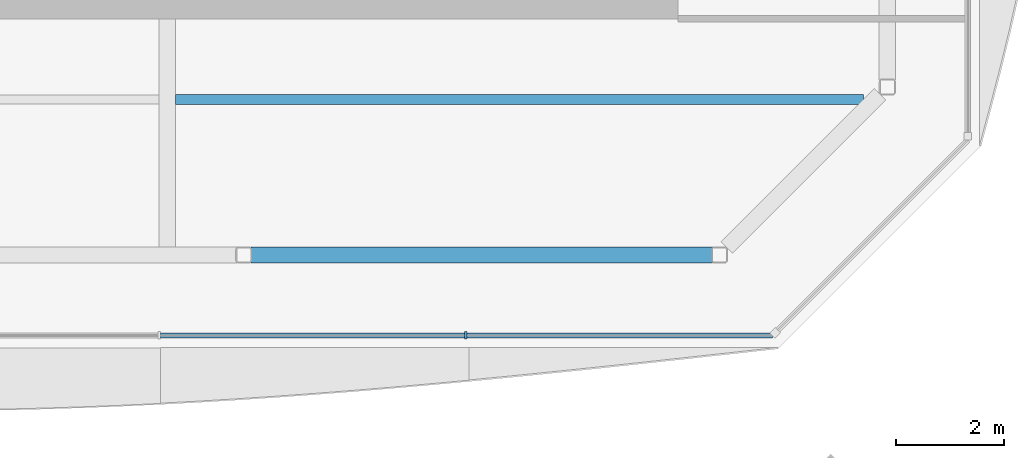
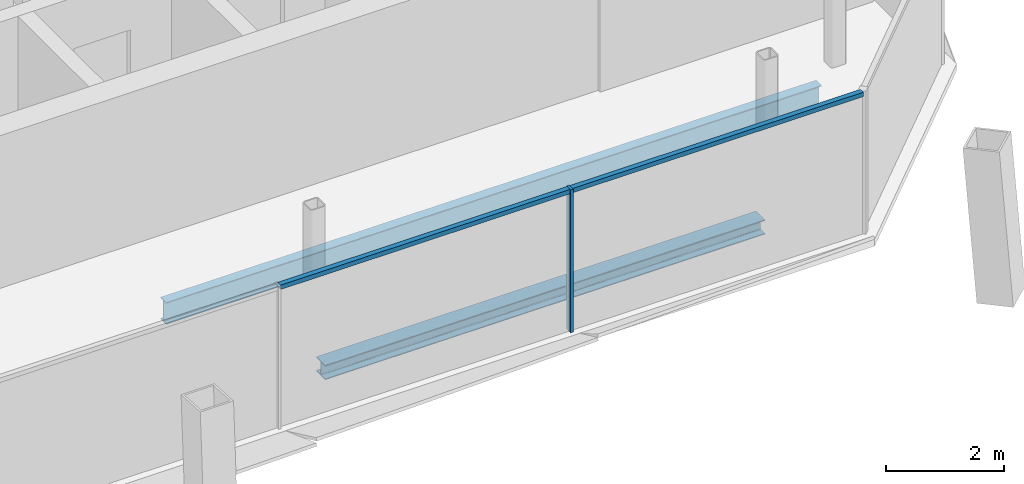
# One storey, part 4 of 15: 3 members, 2 beams, 1 element without a shape of its own.
"""IFC4 building model written with IfcOpenShell, lengths in metres."""

from ifc_helpers import new_model, si_unit, direction, frame, origin, origin_2d, place, context, subcontext, project, spatial, rectangle, i_section, extrude, material, material_profile, profile_set, type_object, element, aggregate, save


model = new_model("IFC4")

# Units and contexts
model_context = context("Model", 3, precision=1e-05, world=origin(), true_north=direction((0.0, 1.0)))
body_context = subcontext(model_context, "Body", "Model", "MODEL_VIEW")
ifc_project = project(units=[si_unit("LENGTHUNIT", "METRE"), si_unit("AREAUNIT", "SQUARE_METRE"), si_unit("VOLUMEUNIT", "CUBIC_METRE"), si_unit("PLANEANGLEUNIT", "RADIAN"), si_unit("MASSUNIT", "GRAM", prefix="KILO")], contexts=[model_context])

# Site, building, storey
site_placement = place(None, origin())
site = spatial("IfcSite", under=ifc_project, at=site_placement, CompositionType="ELEMENT")
building_placement = place(site_placement, origin())
building = spatial("IfcBuilding", under=site, at=building_placement, Name="Tskaro Facet Tower", CompositionType="ELEMENT")
storey_placement = place(building_placement, frame((0.0, 0.0, 242.39990234375)))
storey = spatial("IfcBuildingStorey", under=building, at=storey_placement, Name="L63", CompositionType="ELEMENT", Elevation=242.39990234375)

# Curtain wall, members
ifc_material_1 = material(Name="Bronze anodised aluminium 6063-T6", Category="aluminium")
curtain_wall_type = type_object("IfcCurtainWallType", Name="Bronze residence curtain wall (FW3)", PredefinedType="NOTDEFINED", material=ifc_material_1)
curtain_wall_placement = place(storey_placement, origin())
curtain_wall = element("IfcCurtainWall", 1, at=curtain_wall_placement, inside=storey, type_object=curtain_wall_type, Name="FW3 south facet L63", PredefinedType="NOTDEFINED")
ifc_material_profile_1 = material_profile(ifc_material_1, rectangle(XDim=0.050048828125, YDim=0.139892578125, at=origin_2d()), Name="Mullion 50x140")
ifc_profile_set_1 = profile_set([ifc_material_profile_1], Name="Bronze anodised aluminium 6063-T6")
member_type_1 = type_object("IfcMemberType", Name="FW3 bronze mullion 50x140", PredefinedType="MULLION", material=ifc_profile_set_1)
member_1_placement = place(storey_placement, frame((5.5517578125, -17.888916015625, 0.0), z_axis=(0.0, 0.0, 1.0), x_axis=(1.0, 0.0, 0.0)))
member_1 = element("IfcMember", 2, at=member_1_placement, type_object=member_type_1, Name="FW3 south mullion 4", PredefinedType="MULLION", context=body_context, shape_type="SweptSolid", body=[
    extrude(rectangle(XDim=0.050048828125, YDim=0.139892578125, at=origin_2d()), origin(), (0.0, 0.0, 1.0), 2.9501953125),
])
ifc_material_profile_2 = material_profile(ifc_material_1, rectangle(XDim=0.10009765625, YDim=0.090087890625, at=origin_2d()), Name="Transom 100x90")
ifc_profile_set_2 = profile_set([ifc_material_profile_2], Name="Bronze anodised aluminium 6063-T6")
member_type_2 = type_object("IfcMemberType", Name="FW3 bronze transom 100x90", PredefinedType="USERDEFINED", material=ifc_profile_set_2)
member_2_placement = place(storey_placement, frame((-0.12451171875, -17.888916015625, 2.905029296875), z_axis=(1.0, 0.0, 0.0), x_axis=(0.0, 1.0, 0.0)))
member_2 = element("IfcMember", 3, at=member_2_placement, type_object=member_type_2, Name="FW3 south transom 4.1", ObjectType="TRANSOM", PredefinedType="USERDEFINED", context=body_context, shape_type="SweptSolid", body=[
    extrude(rectangle(XDim=0.10009765625, YDim=0.090087890625, at=origin_2d()), origin(), (0.0, 0.0, 1.0), 5.6513671875),
])
member_3_placement = place(storey_placement, frame((5.576904296875, -17.888916015625, 2.905029296875), z_axis=(1.0, 0.0, 0.0), x_axis=(0.0, 1.0, 0.0)))
member_3 = element("IfcMember", 4, at=member_3_placement, type_object=member_type_2, Name="FW3 south transom 5.1", ObjectType="TRANSOM", PredefinedType="USERDEFINED", context=body_context, shape_type="SweptSolid", body=[
    extrude(rectangle(XDim=0.10009765625, YDim=0.090087890625, at=origin_2d()), origin(), (0.0, 0.0, 1.0), 5.676025390625),
])
aggregate(curtain_wall, [member_1, member_2, member_3])

# Beams
ifc_material_2 = material(Name="Steel S355J2", Category="steel")
ifc_material_profile_3 = material_profile(ifc_material_2, i_section(OverallWidth=0.300048828125, OverallDepth=0.300048828125, WebThickness=0.010986328125, FlangeThickness=0.01904296875, FilletRadius=0.027099609375, at=origin_2d()), Name="HE 300 B")
ifc_profile_set_3 = profile_set([ifc_material_profile_3], Name="Steel S355J2")
beam_type_1 = type_object("IfcBeamType", Name="HE 300 B ring beam", PredefinedType="BEAM", material=ifc_profile_set_3)
beam_1_placement = place(storey_placement, frame((1.552978515625, -16.39111328125, -0.289794921875), z_axis=(1.0, 0.0, 0.0), x_axis=(0.0, 1.0, 0.0)))
element("IfcBeam", 5, at=beam_1_placement, inside=storey, type_object=beam_type_1, Name="HE 300 B EB3-5", PredefinedType="BEAM", context=body_context, shape_type="SweptSolid", body=[
    extrude(i_section(OverallWidth=0.300048828125, OverallDepth=0.300048828125, WebThickness=0.010986328125, FlangeThickness=0.01904296875, FilletRadius=0.027099609375, at=origin_2d()), origin(), (0.0, 0.0, 1.0), 8.5849609375),
])
ifc_material_profile_4 = material_profile(ifc_material_2, i_section(OverallWidth=0.18994140625, OverallDepth=0.449951171875, WebThickness=0.009521484375, FlangeThickness=0.0146484375, FilletRadius=0.02099609375, at=origin_2d()), Name="IPE 450")
ifc_profile_set_4 = profile_set([ifc_material_profile_4], Name="Steel S355J2")
beam_type_2 = type_object("IfcBeamType", Name="IPE 450 long secondary beam", PredefinedType="BEAM", material=ifc_profile_set_4)
beam_2_placement = place(storey_placement, frame((0.14990234375, -13.5, -0.364990234375), z_axis=(1.0, 0.0, 0.0), x_axis=(0.0, 1.0, 0.0)))
element("IfcBeam", 6, at=beam_2_placement, inside=storey, type_object=beam_type_2, Name="IPE 450 LSB2a-3-5", PredefinedType="BEAM", context=body_context, shape_type="SweptSolid", body=[
    extrude(i_section(OverallWidth=0.18994140625, OverallDepth=0.449951171875, WebThickness=0.009521484375, FlangeThickness=0.0146484375, FilletRadius=0.02099609375, at=origin_2d()), origin(), (0.0, 0.0, 1.0), 12.797119140625),
])

save(model, "model.ifc")
